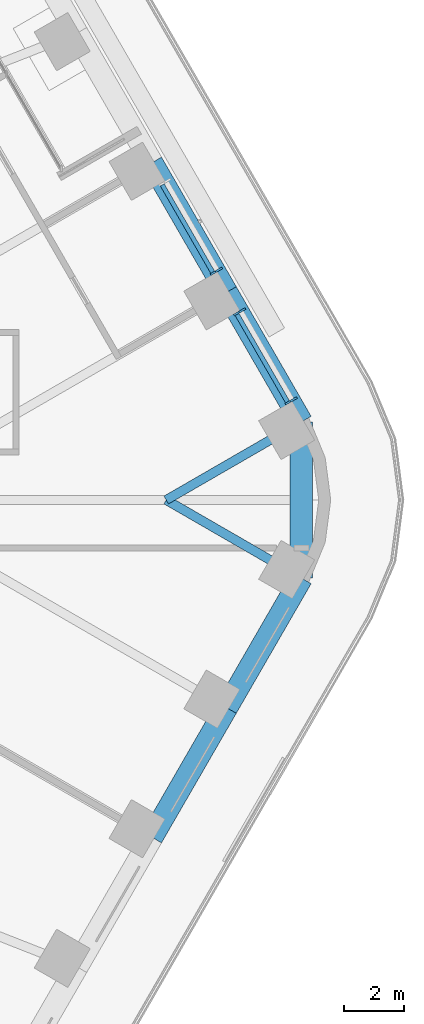
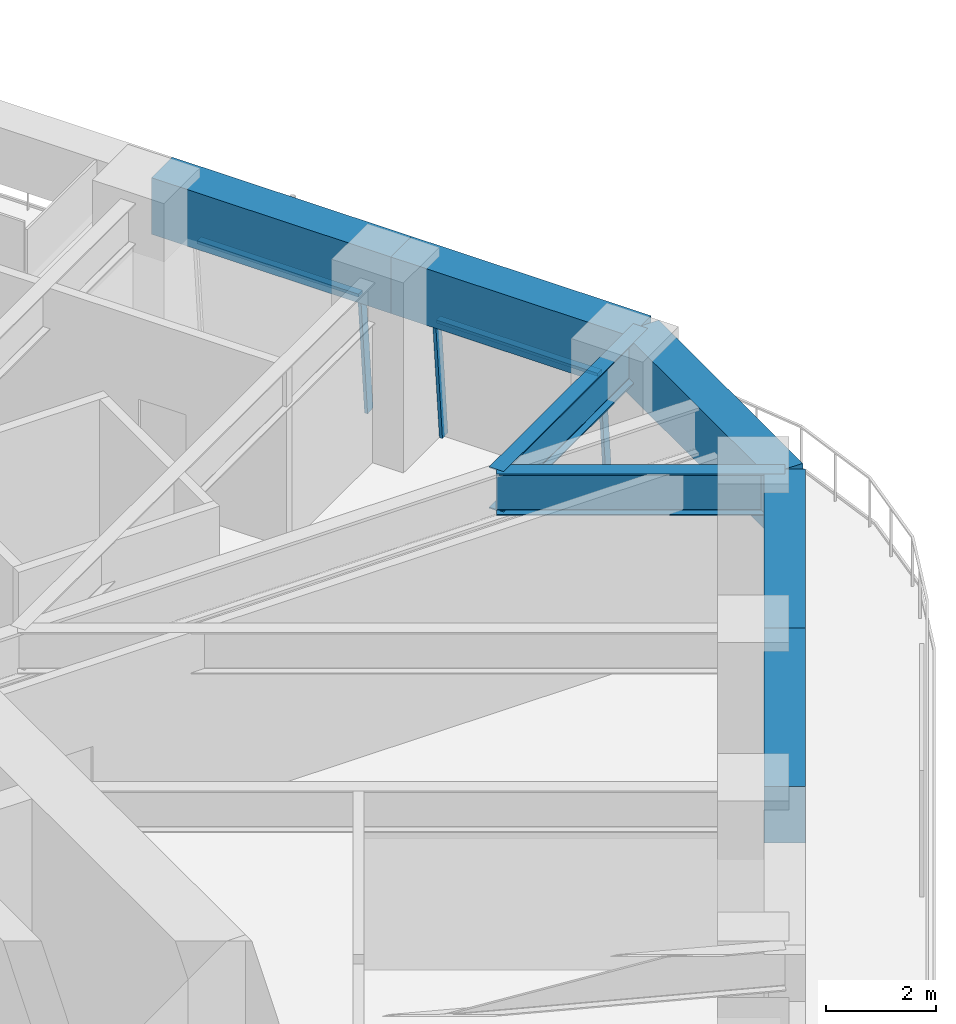
# One storey, part 14 of 24: 7 beams, 5 members, 2 elements without a shape of their own.
"""IFC4 building model written with IfcOpenShell, lengths in metres."""

import ifcopenshell
import ifcopenshell.guid

model = None  # the IFC model being written
_history = None  # IfcOwnerHistory: only IFC2X3 demands one
_inside = {}  # id of a spatial element -> (the spatial element, [elements in it])
_under = {}  # id of a project, library or spatial element -> (it, [spatial elements below it])
_declared = {}  # id of a project -> (the project, [libraries it declares])
_typed = {}  # id of a type object -> (the type object, [elements of that type])
_made_of = {}  # id of a material, layer set ... -> (it, [elements and type objects made of it])


def new_model(schema):
    """Start an empty IFC model of exactly this schema.

    Asked for "IFC4X3", IfcOpenShell would pick the latest addendum, in which some entities
    have other attributes; the version numbers below select the first issue.
    IFC2X3 requires an IfcOwnerHistory on every rooted entity: one is made here for all.
    """
    global model, _history
    if schema == "IFC4X3":
        model = ifcopenshell.file(schema_version=(4, 3, 0, 0))
    else:
        model = ifcopenshell.file(schema=schema)
    _inside.clear()
    _under.clear()
    _declared.clear()
    _typed.clear()
    _made_of.clear()
    _history = None
    if model.schema == "IFC2X3":
        org = make("IfcOrganization", Name="unknown")
        user = make(
            "IfcPersonAndOrganization",
            ThePerson=make("IfcPerson", FamilyName="unknown"),
            TheOrganization=org,
        )
        app = make(
            "IfcApplication",
            ApplicationDeveloper=org,
            Version="unknown",
            ApplicationFullName="unknown",
            ApplicationIdentifier="unknown",
        )
        _history = make(
            "IfcOwnerHistory",
            OwningUser=user,
            OwningApplication=app,
            ChangeAction="ADDED",
            CreationDate=0,
        )
    return model


def make(cls, **values):
    """One entity of the class cls with the attributes given. An attribute that is None is left unset."""
    return model.create_entity(
        cls, **{name: value for name, value in values.items() if value is not None}
    )


def rooted(cls, **values):
    """An entity with a GlobalId (a new one), such as an element, a storey or a relation."""
    return make(cls, GlobalId=ifcopenshell.guid.new(), OwnerHistory=_history, **values)


def si_unit(unit_type, name, prefix=None):
    """IfcSIUnit, for example si_unit("LENGTHUNIT", "METRE", prefix="MILLI")."""
    return make("IfcSIUnit", UnitType=unit_type, Prefix=prefix, Name=name)


def assignment(units):
    """IfcUnitAssignment: the units of a project."""
    return None if units is None else make("IfcUnitAssignment", Units=units)


def point(xyz):
    """IfcCartesianPoint."""
    return None if xyz is None else make("IfcCartesianPoint", Coordinates=xyz)


def direction(xyz):
    """IfcDirection."""
    return None if xyz is None else make("IfcDirection", DirectionRatios=xyz)


def frame(location, z_axis=None, x_axis=None):
    """IfcAxis2Placement3D, a coordinate frame: its origin and axes. An axis left out is left unset."""
    return make(
        "IfcAxis2Placement3D",
        Location=point(location),
        Axis=direction(z_axis),
        RefDirection=direction(x_axis),
    )


def frame_2d(location, x_axis=None):
    """IfcAxis2Placement2D, a coordinate frame in the plane: its origin and x axis."""
    return make(
        "IfcAxis2Placement2D", Location=point(location), RefDirection=direction(x_axis)
    )


def origin():
    """The frame at (0, 0, 0) with its axes left unset."""
    return frame((0.0, 0.0, 0.0))


def origin_2d():
    """The frame at (0, 0) in the plane with its x axis left unset."""
    return frame_2d((0.0, 0.0))


def place(relative_to, where):
    """IfcLocalPlacement: puts the frame where relative to a parent placement (None: the world)."""
    return make(
        "IfcLocalPlacement", PlacementRelTo=relative_to, RelativePlacement=where
    )


def context(
    kind, dimensions, precision=None, world=None, true_north=None, identifier=None
):
    """IfcGeometricRepresentationContext, for example the 3D "Model" context."""
    return make(
        "IfcGeometricRepresentationContext",
        ContextIdentifier=identifier,
        ContextType=kind,
        CoordinateSpaceDimension=dimensions,
        Precision=precision,
        WorldCoordinateSystem=world,
        TrueNorth=true_north,
    )


def subcontext(parent, identifier, kind, view, scale=None):
    """IfcGeometricRepresentationSubContext, for example "Body" below "Model"."""
    return make(
        "IfcGeometricRepresentationSubContext",
        ContextIdentifier=identifier,
        ContextType=kind,
        ParentContext=parent,
        TargetScale=scale,
        TargetView=view,
    )


def project(units=None, contexts=None):
    """IfcProject with its units and contexts."""
    return rooted(
        "IfcProject",
        Name="project",
        RepresentationContexts=contexts,
        UnitsInContext=assignment(units),
    )


def spatial(cls, under=None, at=None, **own):
    """A site, building, storey or space (cls), placed at a placement, below another one or the project."""
    s = rooted(cls, ObjectPlacement=at, **own)
    if under is not None:
        _under.setdefault(under.id(), (under, []))[1].append(s)
    return s


def profile(cls, at=None, kind="AREA", **sizes):
    """A parametric profile (cls). Its sizes go by their IFC names, for example OverallWidth=200.0."""
    return make(cls, ProfileType=kind, Position=at, **sizes)


def rectangle(**sizes):
    """IfcRectangleProfileDef."""
    return profile("IfcRectangleProfileDef", **sizes)


def i_section(**sizes):
    """IfcIShapeProfileDef."""
    return profile("IfcIShapeProfileDef", **sizes)


def extrude(swept, where, along, depth):
    """IfcExtrudedAreaSolid: the profile swept, set in the frame where, extruded along a direction by depth."""
    return make(
        "IfcExtrudedAreaSolid",
        SweptArea=swept,
        Position=where,
        ExtrudedDirection=direction(along),
        Depth=depth,
    )


def shape(context_of_items, identifier, shape_type, items):
    """IfcShapeRepresentation: the items that make up one representation, for example the "Body"."""
    return make(
        "IfcShapeRepresentation",
        ContextOfItems=context_of_items,
        RepresentationIdentifier=identifier,
        RepresentationType=shape_type,
        Items=items,
    )


def material(Name=None, Category=None):
    """IfcMaterial."""
    return make("IfcMaterial", Name=Name, Category=Category)


def material_profile(
    of_material, cross_section, Name=None, Category=None, Priority=None
):
    """IfcMaterialProfile: a cross section and its material."""
    return make(
        "IfcMaterialProfile",
        Name=Name,
        Material=of_material,
        Profile=cross_section,
        Priority=Priority,
        Category=Category,
    )


def profile_set(profiles, Name=None, composite=None):
    """IfcMaterialProfileSet."""
    return make(
        "IfcMaterialProfileSet",
        Name=Name,
        MaterialProfiles=profiles,
        CompositeProfile=composite,
    )


def made_of(thing, what):
    """Note that an element or type object is made of a material, layer set ...; save() writes the relation."""
    if what is not None:
        _made_of.setdefault(what.id(), (what, []))[1].append(thing)
    return thing


def type_object(cls, material=None, **own):
    """A type object (cls), such as IfcWallType, which elements share."""
    return made_of(rooted(cls, **own), material)


def element(
    cls,
    number,
    at=None,
    inside=None,
    cuts=None,
    type_object=None,
    material=None,
    context=None,
    identifier="Body",
    shape_type=None,
    held_by="IfcProductDefinitionShape",
    body=None,
    shapes=None,
    **own,
):
    """One element of the class cls, such as IfcWall. Its Tag is "e" and its number.

    at: its placement. inside: the storey or other place that contains it. cuts: it is an
    opening in that element (IfcRelVoidsElement). A single representation is given by context,
    identifier, shape_type and body (its items); several are given by shapes. held_by: the class
    of the entity that holds the representations. save() writes the other relations.
    """
    e = rooted(cls, Tag="e%d" % number, ObjectPlacement=at, **own)
    if body is not None:
        shapes = [shape(context, identifier, shape_type, body)]
    if shapes is not None:
        e.Representation = make(held_by, Representations=shapes)
    if inside is not None:
        _inside.setdefault(inside.id(), (inside, []))[1].append(e)
    if cuts is not None:
        rooted(
            "IfcRelVoidsElement", RelatingBuildingElement=cuts, RelatedOpeningElement=e
        )
    if type_object is not None:
        _typed.setdefault(type_object.id(), (type_object, []))[1].append(e)
    return made_of(e, material)


def aggregate(whole, parts):
    """IfcRelAggregates: a whole, such as a stair, and the parts it consists of."""
    return rooted("IfcRelAggregates", RelatingObject=whole, RelatedObjects=parts)


def save(model, path):
    """Write the relations noted so far, then the file.

    IfcRelAggregates (storeys below a building ...), IfcRelContainedInSpatialStructure (elements
    in a storey), IfcRelDefinesByType, IfcRelAssociatesMaterial and IfcRelDeclares: one each for
    every whole, place, type object, material and project.
    """
    for whole, parts in _under.values():
        aggregate(whole, parts)
    for where, things in _inside.values():
        rooted(
            "IfcRelContainedInSpatialStructure",
            RelatedElements=things,
            RelatingStructure=where,
        )
    for kind, things in _typed.values():
        rooted("IfcRelDefinesByType", RelatedObjects=things, RelatingType=kind)
    for what, things in _made_of.values():
        rooted("IfcRelAssociatesMaterial", RelatedObjects=things, RelatingMaterial=what)
    for by, libraries in _declared.values():
        rooted("IfcRelDeclares", RelatingContext=by, RelatedDefinitions=libraries)
    model.write(path)


model = new_model("IFC4")

# Units and contexts
model_context = context("Model", 3, precision=1e-05, world=origin(), true_north=direction((0.0, 1.0)))
body_context = subcontext(model_context, "Body", "Model", "MODEL_VIEW")
ifc_project = project(units=[si_unit("LENGTHUNIT", "METRE"), si_unit("AREAUNIT", "SQUARE_METRE"), si_unit("VOLUMEUNIT", "CUBIC_METRE"), si_unit("PLANEANGLEUNIT", "RADIAN"), si_unit("MASSUNIT", "GRAM", prefix="KILO")], contexts=[model_context])

# Site, building, storey
site_placement = place(None, origin())
site = spatial("IfcSite", under=ifc_project, at=site_placement, CompositionType="ELEMENT")
building_placement = place(site_placement, origin())
building = spatial("IfcBuilding", under=site, at=building_placement, Name="Tarfa Lantern Tower", CompositionType="ELEMENT")
storey_placement = place(building_placement, frame((0.0, 0.0, 190.89990234375)))
storey = spatial("IfcBuildingStorey", under=building, at=storey_placement, Name="L43", CompositionType="ELEMENT", Elevation=190.89990234375)

# Curtain wall, members
ifc_material_1 = material(Name="Aluminium framed curtain wall", Category="aluminium")
curtain_wall_type = type_object("IfcCurtainWallType", Name="CW2 CANTED GLAZING MID ZONE 2750", PredefinedType="USERDEFINED", material=ifc_material_1)
curtain_wall_1_placement = place(storey_placement, origin())
curtain_wall_1 = element("IfcCurtainWall", 1, at=curtain_wall_1_placement, inside=storey, type_object=curtain_wall_type, Name="CW2 NE L43", ObjectType="CURTAIN WALL", PredefinedType="USERDEFINED")
ifc_material_2 = material(Name="Aluminium mullion", Category="aluminium")
ifc_material_profile_1 = material_profile(ifc_material_2, rectangle(XDim=0.06494140625, YDim=0.199951171875, at=origin_2d()), Name="AL MULLION 65x200")
ifc_profile_set_1 = profile_set([ifc_material_profile_1], Name="Aluminium mullion")
member_type_1 = type_object("IfcMemberType", Name="CWM1 MULLION 65x200", PredefinedType="MULLION", material=ifc_profile_set_1)
member_1_placement = place(storey_placement, frame((34.3076171875, 3.377685546875, 0.0), z_axis=(-0.078422950161, -0.045267813396, 0.995891894715), x_axis=(0.499919672301, -0.866071776036, 0.0)))
member_1 = element("IfcMember", 2, at=member_1_placement, type_object=member_type_1, Name="CW2 mullion 1", PredefinedType="MULLION", context=body_context, shape_type="SweptSolid", body=[
    extrude(rectangle(XDim=0.06494140625, YDim=0.199951171875, at=origin_2d()), origin(), (0.0, 0.0, 1.0), 2.76123046875),
])
member_2_placement = place(storey_placement, frame((32.588134765625, 6.355712890625, 0.0), z_axis=(-0.078422950161, -0.045267813396, 0.995891894715), x_axis=(0.499919672301, -0.866071776036, 0.0)))
member_2 = element("IfcMember", 3, at=member_2_placement, type_object=member_type_1, Name="CW2 mullion 2", PredefinedType="MULLION", context=body_context, shape_type="SweptSolid", body=[
    extrude(rectangle(XDim=0.06494140625, YDim=0.199951171875, at=origin_2d()), origin(), (0.0, 0.0, 1.0), 2.76123046875),
])

# Curtain wall, member
curtain_wall_2_placement = place(storey_placement, origin())
curtain_wall_2 = element("IfcCurtainWall", 4, at=curtain_wall_2_placement, inside=storey, type_object=curtain_wall_type, Name="CW2 NE L43", ObjectType="CURTAIN WALL", PredefinedType="USERDEFINED")
member_3_placement = place(storey_placement, frame((31.8056640625, 7.7109375, 0.0), z_axis=(-0.078422950161, -0.045267813396, 0.995891894715), x_axis=(0.499919672301, -0.866071776036, 0.0)))
member_3 = element("IfcMember", 5, at=member_3_placement, type_object=member_type_1, Name="CW2 mullion 1", PredefinedType="MULLION", context=body_context, shape_type="SweptSolid", body=[
    extrude(rectangle(XDim=0.06494140625, YDim=0.199951171875, at=origin_2d()), origin(), (0.0, 0.0, 1.0), 2.76123046875),
])

# Member
ifc_material_3 = material(Name="Aluminium transom", Category="aluminium")
ifc_material_profile_2 = material_profile(ifc_material_3, rectangle(XDim=0.14990234375, YDim=0.06494140625, at=origin_2d()), Name="AL TRANSOM 150x65")
ifc_profile_set_2 = profile_set([ifc_material_profile_2], Name="Aluminium transom")
member_type_2 = type_object("IfcMemberType", Name="CWT1 TRANSOM 150x65", PredefinedType="USERDEFINED", material=ifc_profile_set_2)
member_4_placement = place(storey_placement, frame((34.077392578125, 3.2822265625, 2.717529296875), z_axis=(-0.500014760403, 0.866016881694, 0.0), x_axis=(-0.866016881694, -0.500014760403, 0.0)))
member_4 = element("IfcMember", 6, at=member_4_placement, type_object=member_type_2, Name="CW2 transom 1.2", ObjectType="TRANSOM", PredefinedType="USERDEFINED", context=body_context, shape_type="SweptSolid", body=[
    extrude(rectangle(XDim=0.14990234375, YDim=0.06494140625, at=origin_2d()), origin(), (0.0, 0.0, 1.0), 3.3740234375),
])

aggregate(curtain_wall_1, [member_1, member_2, member_4])

member_5_placement = place(storey_placement, frame((31.575439453125, 7.61572265625, 2.717529296875), z_axis=(-0.499991822116, 0.866030125237, 0.0), x_axis=(-0.866030125237, -0.499991822116, 0.0)))
member_5 = element("IfcMember", 7, at=member_5_placement, type_object=member_type_2, Name="CW2 transom 1.2", ObjectType="TRANSOM", PredefinedType="USERDEFINED", context=body_context, shape_type="SweptSolid", body=[
    extrude(rectangle(XDim=0.14990234375, YDim=0.06494140625, at=origin_2d()), origin(), (0.0, 0.0, 1.0), 3.37353515625),
])

aggregate(curtain_wall_2, [member_3, member_5])

# Beams
ifc_material_4 = material(Name="Concrete C80/95", Category="concrete")
ifc_material_profile_3 = material_profile(ifc_material_4, rectangle(XDim=0.75, YDim=1.25, at=origin_2d()), Name="RC 750x1250")
ifc_profile_set_3 = profile_set([ifc_material_profile_3], Name="Concrete C80/95")
beam_type_1 = type_object("IfcBeamType", Name="EB2 RC 750x1250", PredefinedType="SPANDREL", material=ifc_profile_set_3)
for number, where, z_axis, x_axis, name in (
    (8, (34.54296875, 2.610107421875, 3.375), (-0.500022324899, 0.866012514114, 0.0), (-0.866012514114, -0.500022324899, 0.0), "Edge beam NE0"),
    (9, (32.041015625, 6.943359375, 3.375), (-0.500022324899, 0.866012514114, 0.0), (-0.866012514114, -0.500022324899, 0.0), "Edge beam NE1"),
    (10, (29.5390625, -11.276611328125, 3.375), (0.500022324899, 0.866012514114, 0.0), (-0.866012514114, 0.500022324899, 0.0), "Edge beam SE4"),
    (11, (32.041015625, -6.943359375, 3.375), (0.500022324899, 0.866012514114, 0.0), (-0.866012514114, 0.500022324899, 0.0), "Edge beam SE5"),
):
    element("IfcBeam", number, at=place(storey_placement, frame(where, z_axis=z_axis, x_axis=x_axis)), inside=storey, type_object=beam_type_1, Name=name, PredefinedType="SPANDREL", context=body_context, shape_type="SweptSolid", body=[
        extrude(rectangle(XDim=0.75, YDim=1.25, at=origin_2d()), origin(), (0.0, 0.0, 1.0), 5.003662109375),
    ])
beam_placement = place(storey_placement, frame((34.54296875, -2.610107421875, 3.375), z_axis=(0.0, 1.0, 0.0), x_axis=(-1.0, 0.0, 0.0)))
element("IfcBeam", 12, at=beam_placement, inside=storey, type_object=beam_type_1, Name="Edge beam SE6", PredefinedType="SPANDREL", context=body_context, shape_type="SweptSolid", body=[
    extrude(rectangle(XDim=0.75, YDim=1.25, at=origin_2d()), origin(), (0.0, 0.0, 1.0), 5.22021484375),
])
ifc_material_5 = material(Name="Steel S460M", Category="steel")
ifc_material_profile_4 = material_profile(ifc_material_5, i_section(OverallWidth=0.305419921875, OverallDepth=0.91845703125, WebThickness=0.017333984375, FlangeThickness=0.02783203125, FilletRadius=0.01904296875, at=origin_2d()), Name="UB914x305x253")
ifc_profile_set_4 = profile_set([ifc_material_profile_4], Name="Steel S460M")
beam_type_2 = type_object("IfcBeamType", Name="UB914x305x253", PredefinedType="BEAM", material=ifc_profile_set_4)
for number, where, z_axis, x_axis, name in (
    (13, (34.54296875, 2.610107421875, 3.541015625), (-0.866021250859, -0.500007193008, 0.0), (0.500007193008, -0.866021250859, 0.0), "Floor beam NE0"),
    (14, (34.54296875, -2.610107421875, 3.541015625), (-0.866021250859, 0.500007193008, 0.0), (-0.500007193008, -0.866021250859, 0.0), "Floor beam SE6"),
):
    element("IfcBeam", number, at=place(storey_placement, frame(where, z_axis=z_axis, x_axis=x_axis)), inside=storey, type_object=beam_type_2, Name=name, PredefinedType="BEAM", context=body_context, shape_type="SweptSolid", body=[
        extrude(i_section(OverallWidth=0.305419921875, OverallDepth=0.91845703125, WebThickness=0.017333984375, FlangeThickness=0.02783203125, FilletRadius=0.01904296875, at=origin_2d()), origin(), (0.0, 0.0, 1.0), 5.22021484375),
    ])

save(model, "model.ifc")
